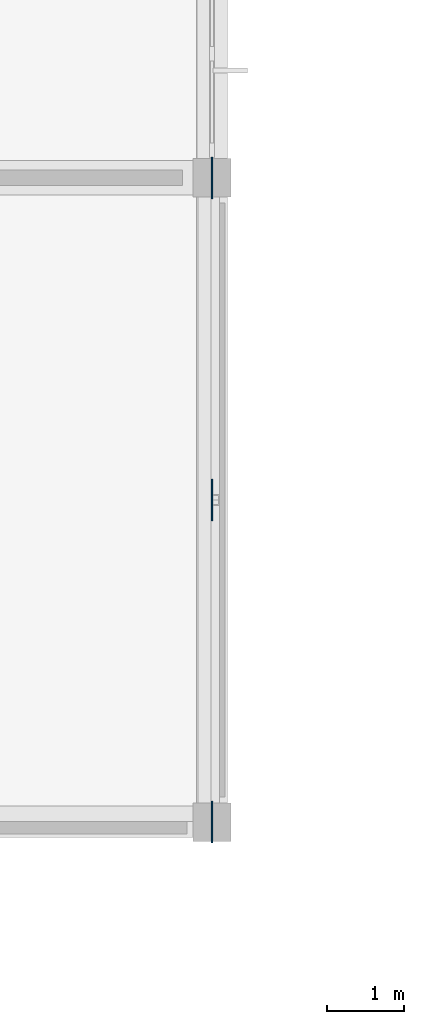
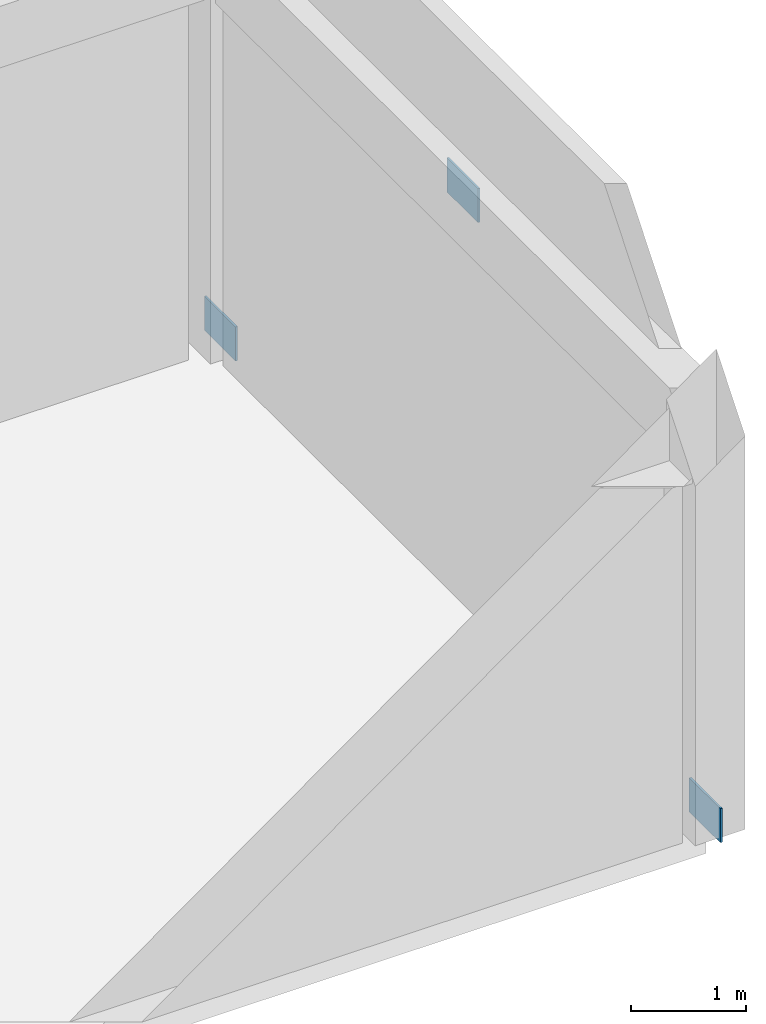
# One storey, part 88 of 138: 3 plates.
"""IFC4 building model written with IfcOpenShell, lengths in metres."""

from ifc_helpers import new_model, si_unit, direction, frame, origin, origin_2d, place, context, subcontext, project, spatial, rectangle, extrude, material, layer, layer_set, type_object, element, save


model = new_model("IFC4")

# Units and contexts
model_context = context("Model", 3, precision=1e-05, world=origin(), true_north=direction((0.0, 1.0)))
body_context = subcontext(model_context, "Body", "Model", "MODEL_VIEW")
ifc_project = project(units=[si_unit("LENGTHUNIT", "METRE"), si_unit("AREAUNIT", "SQUARE_METRE"), si_unit("VOLUMEUNIT", "CUBIC_METRE"), si_unit("PLANEANGLEUNIT", "RADIAN"), si_unit("MASSUNIT", "GRAM", prefix="KILO")], contexts=[model_context])

# Site, building, storey
site_placement = place(None, origin())
site = spatial("IfcSite", under=ifc_project, at=site_placement, CompositionType="ELEMENT")
building_placement = place(site_placement, origin())
building = spatial("IfcBuilding", under=site, at=building_placement, Name="Bramfleet General Hospital", CompositionType="ELEMENT")
storey_placement = place(building_placement, origin())
storey = spatial("IfcBuildingStorey", under=building, at=storey_placement, Name="L00", CompositionType="ELEMENT", Elevation=0.0)

# Plates
ifc_material = material(Name="Steel S355", Category="steel")
ifc_layer = layer(ifc_material, 0.02001953125, Name="PL-GP-540")
ifc_layer_set = layer_set([ifc_layer], Name="Steel S355")
plate_type = type_object("IfcPlateType", Name="PL-GP-540", PredefinedType="USERDEFINED", material=ifc_layer_set)
for number, where, z_axis, x_axis, name in (
    (1, (176.39990234375, 4.199951171875, 3.9697265625), (0.0, 0.0, 1.0), (1.0, 0.0, 0.0), "L00 Chevron Gusset Plate 4"),
    (2, (176.39990234375, 0.0, -0.0400390625), (0.0, 0.0, 1.0), (1.0, 0.0, 0.0), "L00 Brace Foot Gusset Plate 4A"),
    (3, (176.39990234375, 8.39990234375, -0.0400390625), (0.0, 0.0, 1.0), (1.0, 0.0, 0.0), "L00 Brace Foot Gusset Plate 4B"),
):
    element("IfcPlate", number, at=place(storey_placement, frame(where, z_axis=z_axis, x_axis=x_axis)), inside=storey, type_object=plate_type, Name=name, ObjectType="Gusset plate", PredefinedType="USERDEFINED", context=body_context, shape_type="SweptSolid", body=[
        extrude(rectangle(XDim=0.02001953125, YDim=0.5400390625, at=origin_2d()), origin(), (0.0, 0.0, 1.0), 0.360107421875),
    ])

save(model, "model.ifc")
